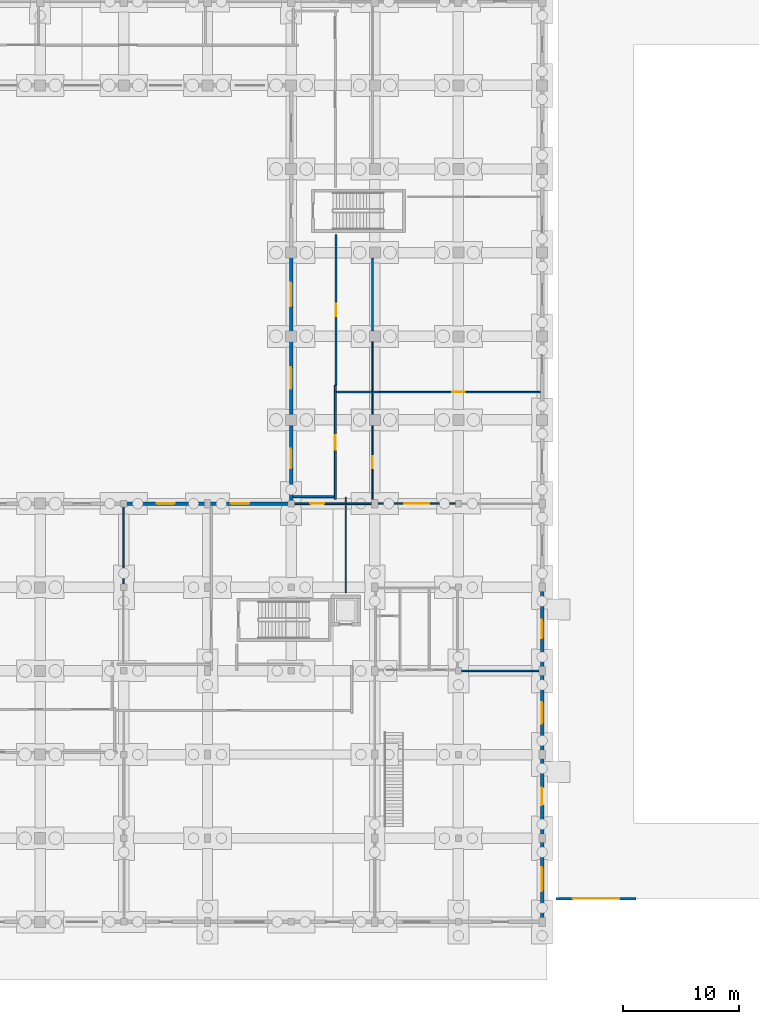
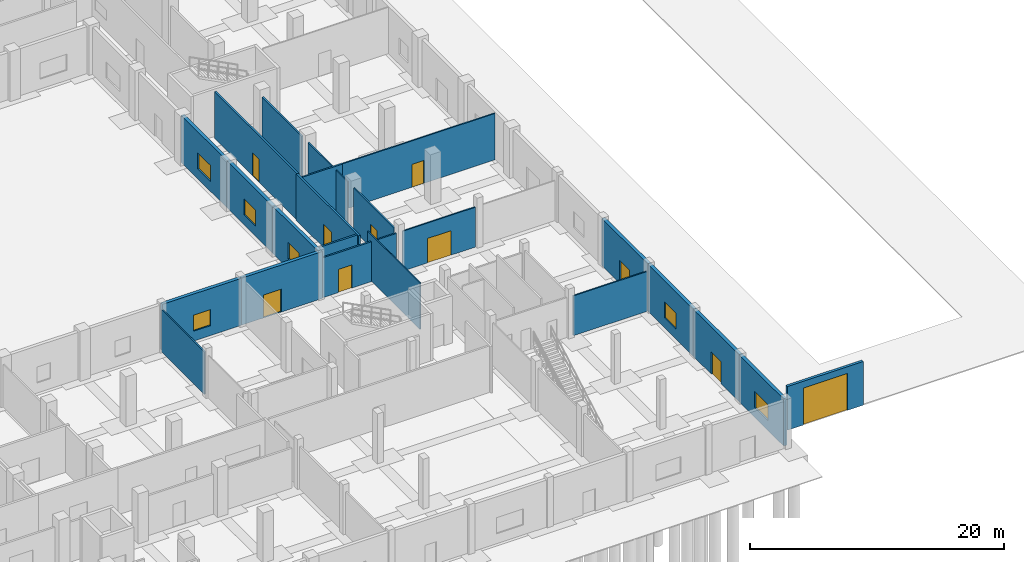
# One storey, part 32 of 48: 25 walls, 10 doors, 6 windows, 16 openings.
"""IFC4 building model written with IfcOpenShell, lengths in metres."""

from ifc_helpers import new_model, si_unit, direction, frame, frame_2d, origin, place, context, subcontext, project, spatial, rectangle, extrude, material, layer, layer_set, type_object, element, fill, save


model = new_model("IFC4")

# Units and contexts
model_context = context("Model", 3, precision=1e-05, world=origin(), true_north=direction((0.0, 1.0)))
body_context = subcontext(model_context, "Body", "Model", "MODEL_VIEW")
ifc_project = project(units=[si_unit("LENGTHUNIT", "METRE"), si_unit("AREAUNIT", "SQUARE_METRE"), si_unit("VOLUMEUNIT", "CUBIC_METRE"), si_unit("PLANEANGLEUNIT", "RADIAN"), si_unit("MASSUNIT", "GRAM", prefix="KILO")], contexts=[model_context])

# Site, building, storey
site_placement = place(None, origin())
site = spatial("IfcSite", under=ifc_project, at=site_placement, CompositionType="ELEMENT")
building_placement = place(site_placement, origin())
building = spatial("IfcBuilding", under=site, at=building_placement, Name="Seraya Terrace Polytechnic", CompositionType="ELEMENT")
storey_placement = place(building_placement, origin())
storey = spatial("IfcBuildingStorey", under=building, at=storey_placement, Name="L00", CompositionType="ELEMENT", Elevation=0.0)

# Wall, opening, door
ifc_material_1 = material(Name="Concrete C40/50", Category="concrete")
ifc_layer_1 = layer(ifc_material_1, 0.300048828125, Name="EW-01")
ifc_layer_set_1 = layer_set([ifc_layer_1], Name="Concrete C40/50")
wall_type_1 = type_object("IfcWallType", Name="EW-01", PredefinedType="SOLIDWALL", material=ifc_layer_set_1)
wall_1_placement = place(storey_placement, frame((165.60009765625, 28.800048828125, 0.0), z_axis=(0.0, 0.0, 1.0), x_axis=(0.0, -1.0, 0.0)))
wall_1 = element("IfcWall", 1, at=wall_1_placement, inside=storey, type_object=wall_type_1, Name="Exterior structural wall EW-01 L00", PredefinedType="SOLIDWALL", context=body_context, shape_type="SweptSolid", body=[
    extrude(rectangle(XDim=7.199951171875, YDim=0.300048828125, at=frame_2d((3.60009765625, 0.0))), origin(), (0.0, 0.0, 1.0), 4.52001953125),
])
opening_1_placement = place(wall_1_placement, frame((2.800048828125, 0.0, 0.0)))
opening_1 = element("IfcOpeningElement", 2, at=opening_1_placement, cuts=wall_1, Name="Opening ED-03", PredefinedType="OPENING", context=body_context, shape_type="SweptSolid", body=[
    extrude(rectangle(XDim=1.60009765625, YDim=2.199951171875, at=frame_2d((0.800048828125, 1.10009765625))), frame((0.0, 0.162109375, 0.0), z_axis=(0.0, -1.0, 0.0), x_axis=(1.0, 0.0, 0.0)), (0.0, 0.0, 1.0), 0.323974609375),
])
ifc_material_2 = material(Name="Anodised aluminium EN AW-6063 T6", Category="aluminium")
door_type_1 = type_object("IfcDoorType", Name="ED-03", OperationType="DOUBLE_DOOR_SINGLE_SWING", PredefinedType="DOOR", material=ifc_material_2)
door_1_placement = place(opening_1_placement, origin())
door_1 = element("IfcDoor", 3, at=door_1_placement, inside=storey, type_object=door_type_1, Name="Door ED-03 DR-EXIT-L00-019 in WL-EXT-L00-07-07", OperationType="DOUBLE_DOOR_SINGLE_SWING", OverallHeight=2.199951171875, OverallWidth=1.60009765625, PredefinedType="DOOR", context=body_context, shape_type="SweptSolid", body=[
    extrude(rectangle(XDim=1.60009765625, YDim=2.199951171875, at=frame_2d((0.800048828125, 1.10009765625))), frame((0.0, 0.02490234375, 0.0), z_axis=(0.0, -1.0, 0.0), x_axis=(1.0, 0.0, 0.0)), (0.0, 0.0, 1.0), 0.050048828125),
])
fill(opening_1, door_1)

# Wall, opening, window
wall_2_placement = place(storey_placement, frame((165.60009765625, 21.60009765625, 0.0), z_axis=(0.0, 0.0, 1.0), x_axis=(0.0, -1.0, 0.0)))
wall_2 = element("IfcWall", 4, at=wall_2_placement, inside=storey, type_object=wall_type_1, Name="Exterior structural wall EW-01 L00", PredefinedType="SOLIDWALL", context=body_context, shape_type="SweptSolid", body=[
    extrude(rectangle(XDim=7.2001953125, YDim=0.300048828125, at=frame_2d((3.60009765625, 0.0))), origin(), (0.0, 0.0, 1.0), 4.52001953125),
])
opening_2_placement = place(wall_2_placement, frame((2.675048828125, 0.0, 0.949951171875)))
opening_2 = element("IfcOpeningElement", 5, at=opening_2_placement, cuts=wall_2, Name="Opening WN-18", PredefinedType="OPENING", context=body_context, shape_type="SweptSolid", body=[
    extrude(rectangle(XDim=1.85009765625, YDim=1.550048828125, at=frame_2d((0.925048828125, 0.77490234375))), frame((0.0, 0.162109375, 0.0), z_axis=(0.0, -1.0, 0.0), x_axis=(1.0, 0.0, 0.0)), (0.0, 0.0, 1.0), 0.323974609375),
])
ifc_material_3 = material(Name="Laminated solar-control Low-E double glazing", Category="glass")
window_type_1 = type_object("IfcWindowType", Name="WN-18", PartitioningType="SINGLE_PANEL", PredefinedType="WINDOW", material=ifc_material_3)
window_1_placement = place(opening_2_placement, origin())
window_1 = element("IfcWindow", 6, at=window_1_placement, inside=storey, type_object=window_type_1, Name="Exterior window WN-18 L00", OverallHeight=1.550048828125, OverallWidth=1.85009765625, PartitioningType="SINGLE_PANEL", PredefinedType="WINDOW", context=body_context, shape_type="SweptSolid", body=[
    extrude(rectangle(XDim=1.85009765625, YDim=1.550048828125, at=frame_2d((0.925048828125, 0.77490234375))), frame((0.0, 0.030029296875, 0.0), z_axis=(0.0, -1.0, 0.0), x_axis=(1.0, 0.0, 0.0)), (0.0, 0.0, 1.0), 0.06005859375),
])
fill(opening_2, window_1)

# Wall, opening, door
wall_3_placement = place(storey_placement, frame((165.60009765625, 14.39990234375, 0.0), z_axis=(0.0, 0.0, 1.0), x_axis=(0.0, -1.0, 0.0)))
wall_3 = element("IfcWall", 7, at=wall_3_placement, inside=storey, type_object=wall_type_1, Name="Exterior structural wall EW-01 L00", PredefinedType="SOLIDWALL", context=body_context, shape_type="SweptSolid", body=[
    extrude(rectangle(XDim=7.199951171875, YDim=0.300048828125, at=frame_2d((3.60009765625, 0.0))), origin(), (0.0, 0.0, 1.0), 4.52001953125),
])
opening_3_placement = place(wall_3_placement, frame((2.85009765625, 0.0, 0.0)))
opening_3 = element("IfcOpeningElement", 8, at=opening_3_placement, cuts=wall_3, Name="Opening ED-04", PredefinedType="OPENING", context=body_context, shape_type="SweptSolid", body=[
    extrude(rectangle(XDim=1.5, YDim=2.14990234375, at=frame_2d((0.75, 1.074951171875))), frame((0.0, 0.162109375, 0.0), z_axis=(0.0, -1.0, 0.0), x_axis=(1.0, 0.0, 0.0)), (0.0, 0.0, 1.0), 0.323974609375),
])
door_type_2 = type_object("IfcDoorType", Name="ED-04", OperationType="DOUBLE_DOOR_SINGLE_SWING", PredefinedType="DOOR", material=ifc_material_2)
door_2_placement = place(opening_3_placement, origin())
door_2 = element("IfcDoor", 9, at=door_2_placement, inside=storey, type_object=door_type_2, Name="Door ED-04 DR-EXIT-L00-020 in WL-EXT-L00-07-09", OperationType="DOUBLE_DOOR_SINGLE_SWING", OverallHeight=2.14990234375, OverallWidth=1.5, PredefinedType="DOOR", context=body_context, shape_type="SweptSolid", body=[
    extrude(rectangle(XDim=1.5, YDim=2.14990234375, at=frame_2d((0.75, 1.074951171875))), frame((0.0, 0.02490234375, 0.0), z_axis=(0.0, -1.0, 0.0), x_axis=(1.0, 0.0, 0.0)), (0.0, 0.0, 1.0), 0.050048828125),
])
fill(opening_3, door_2)

# Wall, opening, window
wall_4_placement = place(storey_placement, frame((165.60009765625, 7.199951171875, 0.0), z_axis=(0.0, 0.0, 1.0), x_axis=(0.0, -1.0, 0.0)))
wall_4 = element("IfcWall", 10, at=wall_4_placement, inside=storey, type_object=wall_type_1, Name="Exterior structural wall EW-01 L00", PredefinedType="SOLIDWALL", context=body_context, shape_type="SweptSolid", body=[
    extrude(rectangle(XDim=7.0478515625, YDim=0.300048828125, at=frame_2d((3.52392578125, 0.0))), origin(), (0.0, 0.0, 1.0), 4.52001953125),
])
opening_4_placement = place(wall_4_placement, frame((2.4990234375, 0.0, 0.949951171875)))
opening_4 = element("IfcOpeningElement", 11, at=opening_4_placement, cuts=wall_4, Name="Opening WN-19", PredefinedType="OPENING", context=body_context, shape_type="SweptSolid", body=[
    extrude(rectangle(XDim=2.050048828125, YDim=1.550048828125, at=frame_2d((1.02490234375, 0.77490234375))), frame((0.0, 0.162109375, 0.0), z_axis=(0.0, -1.0, 0.0), x_axis=(1.0, 0.0, 0.0)), (0.0, 0.0, 1.0), 0.323974609375),
])
window_type_2 = type_object("IfcWindowType", Name="WN-19", PartitioningType="SINGLE_PANEL", PredefinedType="WINDOW", material=ifc_material_3)
window_2_placement = place(opening_4_placement, origin())
window_2 = element("IfcWindow", 12, at=window_2_placement, inside=storey, type_object=window_type_2, Name="Exterior window WN-19 L00", OverallHeight=1.550048828125, OverallWidth=2.050048828125, PartitioningType="SINGLE_PANEL", PredefinedType="WINDOW", context=body_context, shape_type="SweptSolid", body=[
    extrude(rectangle(XDim=2.050048828125, YDim=1.550048828125, at=frame_2d((1.02490234375, 0.77490234375))), frame((0.0, 0.030029296875, 0.0), z_axis=(0.0, -1.0, 0.0), x_axis=(1.0, 0.0, 0.0)), (0.0, 0.0, 1.0), 0.06005859375),
])
fill(opening_4, window_2)

wall_5_placement = place(storey_placement, frame((129.60009765625, 36.0, 0.0), z_axis=(0.0, 0.0, 1.0), x_axis=(1.0, 0.0, 0.0)))
wall_5 = element("IfcWall", 13, at=wall_5_placement, inside=storey, type_object=wall_type_1, Name="Exterior structural wall EW-01 L00", PredefinedType="SOLIDWALL", context=body_context, shape_type="SweptSolid", body=[
    extrude(rectangle(XDim=7.199951171875, YDim=0.300048828125, at=frame_2d((3.60009765625, 0.0))), origin(), (0.0, 0.0, 1.0), 4.52001953125),
])
opening_5_placement = place(wall_5_placement, frame((2.824951171875, 0.0, 0.949951171875)))
opening_5 = element("IfcOpeningElement", 14, at=opening_5_placement, cuts=wall_5, Name="Opening WN-16", PredefinedType="OPENING", context=body_context, shape_type="SweptSolid", body=[
    extrude(rectangle(XDim=1.550048828125, YDim=1.550048828125, at=frame_2d((0.77490234375, 0.77490234375))), frame((0.0, 0.162109375, 0.0), z_axis=(0.0, -1.0, 0.0), x_axis=(1.0, 0.0, 0.0)), (0.0, 0.0, 1.0), 0.323974609375),
])
window_type_3 = type_object("IfcWindowType", Name="WN-16", PartitioningType="SINGLE_PANEL", PredefinedType="WINDOW", material=ifc_material_3)
window_3_placement = place(opening_5_placement, origin())
window_3 = element("IfcWindow", 15, at=window_3_placement, inside=storey, type_object=window_type_3, Name="Exterior window WN-16 L00", OverallHeight=1.550048828125, OverallWidth=1.550048828125, PartitioningType="SINGLE_PANEL", PredefinedType="WINDOW", context=body_context, shape_type="SweptSolid", body=[
    extrude(rectangle(XDim=1.550048828125, YDim=1.550048828125, at=frame_2d((0.77490234375, 0.77490234375))), frame((0.0, 0.030029296875, 0.0), z_axis=(0.0, -1.0, 0.0), x_axis=(1.0, 0.0, 0.0)), (0.0, 0.0, 1.0), 0.06005859375),
])
fill(opening_5, window_3)

# Wall, opening, door
wall_6_placement = place(storey_placement, frame((136.800048828125, 36.0, 0.0), z_axis=(0.0, 0.0, 1.0), x_axis=(1.0, 0.0, 0.0)))
wall_6 = element("IfcWall", 16, at=wall_6_placement, inside=storey, type_object=wall_type_1, Name="Exterior structural wall EW-01 L00", PredefinedType="SOLIDWALL", context=body_context, shape_type="SweptSolid", body=[
    extrude(rectangle(XDim=7.349853515625, YDim=0.300048828125, at=frame_2d((3.6748046875, 0.0))), origin(), (0.0, 0.0, 1.0), 4.52001953125),
])
opening_6_placement = place(wall_6_placement, frame((2.0, 0.0, 0.0)))
opening_6 = element("IfcOpeningElement", 17, at=opening_6_placement, cuts=wall_6, Name="Opening ED-03", PredefinedType="OPENING", context=body_context, shape_type="SweptSolid", body=[
    extrude(rectangle(XDim=1.60009765625, YDim=2.199951171875, at=frame_2d((0.800048828125, 1.10009765625))), frame((0.0, 0.162109375, 0.0), z_axis=(0.0, -1.0, 0.0), x_axis=(1.0, 0.0, 0.0)), (0.0, 0.0, 1.0), 0.323974609375),
])
door_3_placement = place(opening_6_placement, origin())
door_3 = element("IfcDoor", 18, at=door_3_placement, inside=storey, type_object=door_type_1, Name="Door ED-03 DR-STEXIT-ST-10 in WL-EXT-L00-14-04", OperationType="DOUBLE_DOOR_SINGLE_SWING", OverallHeight=2.199951171875, OverallWidth=1.60009765625, PredefinedType="DOOR", context=body_context, shape_type="SweptSolid", body=[
    extrude(rectangle(XDim=1.60009765625, YDim=2.199951171875, at=frame_2d((0.800048828125, 1.10009765625))), frame((0.0, 0.02490234375, 0.0), z_axis=(0.0, -1.0, 0.0), x_axis=(1.0, 0.0, 0.0)), (0.0, 0.0, 1.0), 0.050048828125),
])
fill(opening_6, door_3)

# Wall, opening, window
wall_7_placement = place(storey_placement, frame((144.0, 36.152099609375, 0.0), z_axis=(0.0, 0.0, 1.0), x_axis=(0.0, 1.0, 0.0)))
wall_7 = element("IfcWall", 19, at=wall_7_placement, inside=storey, type_object=wall_type_1, Name="Exterior structural wall EW-01 L00", PredefinedType="SOLIDWALL", context=body_context, shape_type="SweptSolid", body=[
    extrude(rectangle(XDim=7.0478515625, YDim=0.300048828125, at=frame_2d((3.52392578125, 0.0))), origin(), (0.0, 0.0, 1.0), 4.52001953125),
])
opening_7_placement = place(wall_7_placement, frame((2.887939453125, 0.0, 0.949951171875)))
opening_7 = element("IfcOpeningElement", 20, at=opening_7_placement, cuts=wall_7, Name="Opening WN-17", PredefinedType="OPENING", context=body_context, shape_type="SweptSolid", body=[
    extrude(rectangle(XDim=1.699951171875, YDim=1.550048828125, at=frame_2d((0.85009765625, 0.77490234375))), frame((0.0, 0.162109375, 0.0), z_axis=(0.0, -1.0, 0.0), x_axis=(1.0, 0.0, 0.0)), (0.0, 0.0, 1.0), 0.323974609375),
])
window_type_4 = type_object("IfcWindowType", Name="WN-17", PartitioningType="SINGLE_PANEL", PredefinedType="WINDOW", material=ifc_material_3)
window_4_placement = place(opening_7_placement, origin())
window_4 = element("IfcWindow", 21, at=window_4_placement, inside=storey, type_object=window_type_4, Name="Exterior window WN-17 L00", OverallHeight=1.550048828125, OverallWidth=1.699951171875, PartitioningType="SINGLE_PANEL", PredefinedType="WINDOW", context=body_context, shape_type="SweptSolid", body=[
    extrude(rectangle(XDim=1.699951171875, YDim=1.550048828125, at=frame_2d((0.85009765625, 0.77490234375))), frame((0.0, 0.030029296875, 0.0), z_axis=(0.0, -1.0, 0.0), x_axis=(1.0, 0.0, 0.0)), (0.0, 0.0, 1.0), 0.06005859375),
])
fill(opening_7, window_4)

wall_8_placement = place(storey_placement, frame((144.0, 43.199951171875, 0.0), z_axis=(0.0, 0.0, 1.0), x_axis=(0.0, 1.0, 0.0)))
wall_8 = element("IfcWall", 22, at=wall_8_placement, inside=storey, type_object=wall_type_1, Name="Exterior structural wall EW-01 L00", PredefinedType="SOLIDWALL", context=body_context, shape_type="SweptSolid", body=[
    extrude(rectangle(XDim=7.199951171875, YDim=0.300048828125, at=frame_2d((3.60009765625, 0.0))), origin(), (0.0, 0.0, 1.0), 4.52001953125),
])
opening_8_placement = place(wall_8_placement, frame((2.675048828125, 0.0, 0.949951171875)))
opening_8 = element("IfcOpeningElement", 23, at=opening_8_placement, cuts=wall_8, Name="Opening WN-18", PredefinedType="OPENING", context=body_context, shape_type="SweptSolid", body=[
    extrude(rectangle(XDim=1.85009765625, YDim=1.550048828125, at=frame_2d((0.925048828125, 0.77490234375))), frame((0.0, 0.162109375, 0.0), z_axis=(0.0, -1.0, 0.0), x_axis=(1.0, 0.0, 0.0)), (0.0, 0.0, 1.0), 0.323974609375),
])
window_5_placement = place(opening_8_placement, origin())
window_5 = element("IfcWindow", 24, at=window_5_placement, inside=storey, type_object=window_type_1, Name="Exterior window WN-18 L00", OverallHeight=1.550048828125, OverallWidth=1.85009765625, PartitioningType="SINGLE_PANEL", PredefinedType="WINDOW", context=body_context, shape_type="SweptSolid", body=[
    extrude(rectangle(XDim=1.85009765625, YDim=1.550048828125, at=frame_2d((0.925048828125, 0.77490234375))), frame((0.0, 0.030029296875, 0.0), z_axis=(0.0, -1.0, 0.0), x_axis=(1.0, 0.0, 0.0)), (0.0, 0.0, 1.0), 0.06005859375),
])
fill(opening_8, window_5)

wall_9_placement = place(storey_placement, frame((144.0, 50.39990234375, 0.0), z_axis=(0.0, 0.0, 1.0), x_axis=(0.0, 1.0, 0.0)))
wall_9 = element("IfcWall", 25, at=wall_9_placement, inside=storey, type_object=wall_type_1, Name="Exterior structural wall EW-01 L00", PredefinedType="SOLIDWALL", context=body_context, shape_type="SweptSolid", body=[
    extrude(rectangle(XDim=7.2001953125, YDim=0.300048828125, at=frame_2d((3.60009765625, 0.0))), origin(), (0.0, 0.0, 1.0), 4.52001953125),
])
opening_9_placement = place(wall_9_placement, frame((2.574951171875, 0.0, 0.949951171875)))
opening_9 = element("IfcOpeningElement", 26, at=opening_9_placement, cuts=wall_9, Name="Opening WN-19", PredefinedType="OPENING", context=body_context, shape_type="SweptSolid", body=[
    extrude(rectangle(XDim=2.050048828125, YDim=1.550048828125, at=frame_2d((1.02490234375, 0.77490234375))), frame((0.0, 0.162109375, 0.0), z_axis=(0.0, -1.0, 0.0), x_axis=(1.0, 0.0, 0.0)), (0.0, 0.0, 1.0), 0.323974609375),
])
window_6_placement = place(opening_9_placement, origin())
window_6 = element("IfcWindow", 27, at=window_6_placement, inside=storey, type_object=window_type_2, Name="Exterior window WN-19 L00", OverallHeight=1.550048828125, OverallWidth=2.050048828125, PartitioningType="SINGLE_PANEL", PredefinedType="WINDOW", context=body_context, shape_type="SweptSolid", body=[
    extrude(rectangle(XDim=2.050048828125, YDim=1.550048828125, at=frame_2d((1.02490234375, 0.77490234375))), frame((0.0, 0.030029296875, 0.0), z_axis=(0.0, -1.0, 0.0), x_axis=(1.0, 0.0, 0.0)), (0.0, 0.0, 1.0), 0.06005859375),
])
fill(opening_9, window_6)

# Wall, opening, door
ifc_material_4 = material(Name="Autoclaved aerated concrete blockwork", Category="masonry")
ifc_layer_2 = layer(ifc_material_4, 0.169921875, Name="PT-02")
ifc_layer_set_2 = layer_set([ifc_layer_2], Name="Autoclaved aerated concrete blockwork")
wall_type_2 = type_object("IfcWallType", Name="PT-02", PredefinedType="PARTITIONING", material=ifc_layer_set_2)
wall_10_placement = place(storey_placement, frame((147.800048828125, 36.360107421875, 0.0), z_axis=(0.0, 0.0, 1.0), x_axis=(0.0, 1.0, 0.0)))
wall_10 = element("IfcWall", 28, at=wall_10_placement, inside=storey, type_object=wall_type_2, Name="Internal partition PT-02 L00", PredefinedType="PARTITIONING", context=body_context, shape_type="SweptSolid", body=[
    extrude(rectangle(XDim=9.811279296875, YDim=0.169921875, at=frame_2d((4.90576171875, 0.0))), origin(), (0.0, 0.0, 1.0), 4.4599609375),
])
opening_10_placement = place(wall_10_placement, frame((4.265869140625, 0.0, 0.0)))
opening_10 = element("IfcOpeningElement", 29, at=opening_10_placement, cuts=wall_10, Name="Opening ID-08", PredefinedType="OPENING", context=body_context, shape_type="SweptSolid", body=[
    extrude(rectangle(XDim=1.280029296875, YDim=2.219970703125, at=frame_2d((0.64013671875, 1.10986328125))), frame((0.0, 0.096923828125, 0.0), z_axis=(0.0, -1.0, 0.0), x_axis=(1.0, 0.0, 0.0)), (0.0, 0.0, 1.0), 0.19384765625),
])
ifc_material_5 = material(Name="Malaysian dark red meranti hardwood timber D40", Category="wood")
door_type_3 = type_object("IfcDoorType", Name="ID-08", OperationType="NOTDEFINED", PredefinedType="DOOR", material=ifc_material_5)
door_4_placement = place(opening_10_placement, frame((1.280029296875, 0.0, 0.0), z_axis=(0.0, 0.0, 1.0), x_axis=(-1.0, 0.0, 0.0)))
door_4 = element("IfcDoor", 30, at=door_4_placement, inside=storey, type_object=door_type_3, Name="Door ID-08 DR-INT-L00-0021 in WL-INT-L00-0115", OperationType="SINGLE_SWING_RIGHT", OverallHeight=2.219970703125, OverallWidth=1.280029296875, PredefinedType="DOOR", context=body_context, shape_type="SweptSolid", body=[
    extrude(rectangle(XDim=1.280029296875, YDim=2.219970703125, at=frame_2d((0.64013671875, 1.10986328125))), frame((0.0, 0.02490234375, 0.0), z_axis=(0.0, -1.0, 0.0), x_axis=(1.0, 0.0, 0.0)), (0.0, 0.0, 1.0), 0.050048828125),
])
fill(opening_10, door_4)

# Wall
wall_11_placement = place(storey_placement, frame((144.162109375, 36.60009765625, 0.0), z_axis=(0.0, 0.0, 1.0), x_axis=(1.0, 0.0, 0.0)))
element("IfcWall", 31, at=wall_11_placement, inside=storey, type_object=wall_type_2, Name="Internal partition PT-02 L00", PredefinedType="PARTITIONING", context=body_context, shape_type="SweptSolid", body=[
    extrude(rectangle(XDim=3.537841796875, YDim=0.169921875, at=frame_2d((1.76904296875, 0.0))), origin(), (0.0, 0.0, 1.0), 4.4599609375),
])

# Wall, opening, door
wall_12_placement = place(storey_placement, frame((147.8701171875, 46.17138671875, 0.0), z_axis=(0.0, 0.0, 1.0), x_axis=(0.0, 1.0, 0.0)))
wall_12 = element("IfcWall", 32, at=wall_12_placement, inside=storey, type_object=wall_type_2, Name="Internal partition PT-02 L00", PredefinedType="PARTITIONING", context=body_context, shape_type="SweptSolid", body=[
    extrude(rectangle(XDim=12.99853515625, YDim=0.169921875, at=frame_2d((6.499267578125, 0.0))), origin(), (0.0, 0.0, 1.0), 4.4599609375),
])
opening_11_placement = place(wall_12_placement, frame((5.959228515625, 0.0, 0.0)))
opening_11 = element("IfcOpeningElement", 33, at=opening_11_placement, cuts=wall_12, Name="Opening ID-05", PredefinedType="OPENING", context=body_context, shape_type="SweptSolid", body=[
    extrude(rectangle(XDim=1.080078125, YDim=2.199951171875, at=frame_2d((0.5400390625, 1.10009765625))), frame((0.0, 0.096923828125, 0.0), z_axis=(0.0, -1.0, 0.0), x_axis=(1.0, 0.0, 0.0)), (0.0, 0.0, 1.0), 0.19384765625),
])
door_type_4 = type_object("IfcDoorType", Name="ID-05", OperationType="NOTDEFINED", PredefinedType="DOOR", material=ifc_material_5)
door_5_placement = place(opening_11_placement, origin())
door_5 = element("IfcDoor", 34, at=door_5_placement, inside=storey, type_object=door_type_4, Name="Door ID-05 DR-INT-L00-0018 in WL-INT-L00-0117", OperationType="SINGLE_SWING_LEFT", OverallHeight=2.199951171875, OverallWidth=1.080078125, PredefinedType="DOOR", context=body_context, shape_type="SweptSolid", body=[
    extrude(rectangle(XDim=1.080078125, YDim=2.199951171875, at=frame_2d((0.5400390625, 1.10009765625))), frame((0.0, 0.02490234375, 0.0), z_axis=(0.0, -1.0, 0.0), x_axis=(1.0, 0.0, 0.0)), (0.0, 0.0, 1.0), 0.050048828125),
])
fill(opening_11, door_5)

# Wall
ifc_layer_3 = layer(ifc_material_4, 0.14990234375, Name="PT-03")
ifc_layer_set_3 = layer_set([ifc_layer_3], Name="Autoclaved aerated concrete blockwork")
wall_type_3 = type_object("IfcWallType", Name="PT-03", PredefinedType="PARTITIONING", material=ifc_layer_set_3)
wall_13_placement = place(storey_placement, frame((148.764892578125, 36.0, 0.0), z_axis=(0.0, 0.0, 1.0), x_axis=(1.0, 0.0, 0.0)))
element("IfcWall", 35, at=wall_13_placement, inside=storey, type_object=wall_type_3, Name="Internal partition PT-03 L00", PredefinedType="PARTITIONING", context=body_context, shape_type="SweptSolid", body=[
    extrude(rectangle(XDim=2.150146484375, YDim=0.14990234375, at=frame_2d((1.0751953125, 0.0))), origin(), (0.0, 0.0, 1.0), 3.830078125),
])

# Wall, opening, door
wall_14_placement = place(storey_placement, frame((144.162109375, 36.0, 0.0), z_axis=(0.0, 0.0, 1.0), x_axis=(1.0, 0.0, 0.0)))
wall_14 = element("IfcWall", 36, at=wall_14_placement, inside=storey, type_object=wall_type_3, Name="Internal partition PT-03 L00", PredefinedType="PARTITIONING", context=body_context, shape_type="SweptSolid", body=[
    extrude(rectangle(XDim=4.472900390625, YDim=0.14990234375, at=frame_2d((2.236328125, 0.0))), origin(), (0.0, 0.0, 1.0), 3.830078125),
])
opening_12_placement = place(wall_14_placement, frame((1.467529296875, 0.0, 0.0)))
opening_12 = element("IfcOpeningElement", 37, at=opening_12_placement, cuts=wall_14, Name="Opening ID-07", PredefinedType="OPENING", context=body_context, shape_type="SweptSolid", body=[
    extrude(rectangle(XDim=1.219970703125, YDim=2.219970703125, at=frame_2d((0.60986328125, 1.10986328125))), frame((0.0, 0.0869140625, 0.0), z_axis=(0.0, -1.0, 0.0), x_axis=(1.0, 0.0, 0.0)), (0.0, 0.0, 1.0), 0.173828125),
])
door_type_5 = type_object("IfcDoorType", Name="ID-07", OperationType="NOTDEFINED", PredefinedType="DOOR", material=ifc_material_5)
door_6_placement = place(opening_12_placement, origin())
door_6 = element("IfcDoor", 38, at=door_6_placement, inside=storey, type_object=door_type_5, Name="Door ID-07 DR-INT-L00-0052 in WL-INT-L00-0157", OperationType="SINGLE_SWING_LEFT", OverallHeight=2.219970703125, OverallWidth=1.219970703125, PredefinedType="DOOR", context=body_context, shape_type="SweptSolid", body=[
    extrude(rectangle(XDim=1.219970703125, YDim=2.219970703125, at=frame_2d((0.60986328125, 1.10986328125))), frame((0.0, 0.02490234375, 0.0), z_axis=(0.0, -1.0, 0.0), x_axis=(1.0, 0.0, 0.0)), (0.0, 0.0, 1.0), 0.050048828125),
])
fill(opening_12, door_6)

# Walls
wall_15_placement = place(storey_placement, frame((147.89990234375, 45.60009765625, 0.0), z_axis=(0.0, 0.0, 1.0), x_axis=(1.0, 0.0, 0.0)))
element("IfcWall", 39, at=wall_15_placement, inside=storey, type_object=wall_type_3, Name="Internal partition PT-03 L00", PredefinedType="PARTITIONING", context=body_context, shape_type="SweptSolid", body=[
    extrude(rectangle(XDim=3.66015625, YDim=0.14990234375, at=frame_2d((1.830078125, 0.0))), origin(), (0.0, 0.0, 1.0), 4.4599609375),
])
wall_16_placement = place(storey_placement, frame((151.0, 50.885009765625, 0.0), z_axis=(0.0, 0.0, 1.0), x_axis=(0.0, 1.0, 0.0)))
element("IfcWall", 40, at=wall_16_placement, inside=storey, type_object=wall_type_3, Name="Internal partition PT-03 L00", PredefinedType="PARTITIONING", context=body_context, shape_type="SweptSolid", body=[
    extrude(rectangle(XDim=6.22998046875, YDim=0.14990234375, at=frame_2d((3.114990234375, 0.0))), origin(), (0.0, 0.0, 1.0), 4.080078125),
])
ifc_layer_4 = layer(ifc_material_4, 0.1201171875, Name="PT-05")
ifc_layer_set_4 = layer_set([ifc_layer_4], Name="Autoclaved aerated concrete blockwork")
wall_type_4 = type_object("IfcWallType", Name="PT-05", PredefinedType="PARTITIONING", material=ifc_layer_set_4)
wall_17_placement = place(storey_placement, frame((158.68505859375, 21.60009765625, 0.0), z_axis=(0.0, 0.0, 1.0), x_axis=(1.0, 0.0, 0.0)))
element("IfcWall", 41, at=wall_17_placement, inside=storey, type_object=wall_type_4, Name="Internal partition PT-05 L00", PredefinedType="PARTITIONING", context=body_context, shape_type="SweptSolid", body=[
    extrude(rectangle(XDim=6.7529296875, YDim=0.1201171875, at=frame_2d((3.37646484375, 0.0))), origin(), (0.0, 0.0, 1.0), 3.830078125),
])

# Wall, opening, door
wall_18_placement = place(storey_placement, frame((151.485107421875, 36.0, 0.0), z_axis=(0.0, 0.0, 1.0), x_axis=(1.0, 0.0, 0.0)))
wall_18 = element("IfcWall", 42, at=wall_18_placement, inside=storey, type_object=wall_type_4, Name="Internal partition PT-05 L00", PredefinedType="PARTITIONING", context=body_context, shape_type="SweptSolid", body=[
    extrude(rectangle(XDim=6.6298828125, YDim=0.1201171875, at=frame_2d((3.31494140625, 0.0))), origin(), (0.0, 0.0, 1.0), 3.830078125),
])
opening_13_placement = place(wall_18_placement, frame((2.235107421875, 0.0, 0.0)))
opening_13 = element("IfcOpeningElement", 43, at=opening_13_placement, cuts=wall_18, Name="Opening ID-18", PredefinedType="OPENING", context=body_context, shape_type="SweptSolid", body=[
    extrude(rectangle(XDim=2.159912109375, YDim=2.35009765625, at=frame_2d((1.080078125, 1.175048828125))), frame((0.0, 0.072021484375, 0.0), z_axis=(0.0, -1.0, 0.0), x_axis=(1.0, 0.0, 0.0)), (0.0, 0.0, 1.0), 0.14404296875),
])
door_type_6 = type_object("IfcDoorType", Name="ID-18", OperationType="DOUBLE_DOOR_SINGLE_SWING", PredefinedType="DOOR", material=ifc_material_5)
door_7_placement = place(opening_13_placement, frame((2.159912109375, 0.0, 0.0), z_axis=(0.0, 0.0, 1.0), x_axis=(-1.0, 0.0, 0.0)))
door_7 = element("IfcDoor", 44, at=door_7_placement, inside=storey, type_object=door_type_6, Name="Door ID-18 DR-INT-L00-0063 in WL-INT-L00-0155", OperationType="DOUBLE_DOOR_SINGLE_SWING", OverallHeight=2.35009765625, OverallWidth=2.159912109375, PredefinedType="DOOR", context=body_context, shape_type="SweptSolid", body=[
    extrude(rectangle(XDim=2.159912109375, YDim=2.35009765625, at=frame_2d((1.080078125, 1.175048828125))), frame((0.0, 0.02490234375, 0.0), z_axis=(0.0, -1.0, 0.0), x_axis=(1.0, 0.0, 0.0)), (0.0, 0.0, 1.0), 0.050048828125),
])
fill(opening_13, door_7)

# Wall
wall_19_placement = place(storey_placement, frame((129.563232421875, 29.0849609375, 0.0), z_axis=(0.0, 0.0, 1.0), x_axis=(0.0, 1.0, 0.0)))
element("IfcWall", 45, at=wall_19_placement, inside=storey, type_object=wall_type_4, Name="Internal partition PT-05 L00", PredefinedType="PARTITIONING", context=body_context, shape_type="SweptSolid", body=[
    extrude(rectangle(XDim=6.7529296875, YDim=0.1201171875, at=frame_2d((3.37646484375, 0.0))), origin(), (0.0, 0.0, 1.0), 4.080078125),
])

# Wall, opening, door
wall_20_placement = place(storey_placement, frame((151.0, 36.385009765625, 0.0), z_axis=(0.0, 0.0, 1.0), x_axis=(0.0, 1.0, 0.0)))
wall_20 = element("IfcWall", 46, at=wall_20_placement, inside=storey, type_object=wall_type_4, Name="Internal partition PT-05 L00", PredefinedType="PARTITIONING", context=body_context, shape_type="SweptSolid", body=[
    extrude(rectangle(XDim=6.330078125, YDim=0.1201171875, at=frame_2d((3.1650390625, 0.0))), origin(), (0.0, 0.0, 1.0), 4.080078125),
])
opening_14_placement = place(wall_20_placement, frame((2.64501953125, 0.0, 0.0)))
opening_14 = element("IfcOpeningElement", 47, at=opening_14_placement, cuts=wall_20, Name="Opening ID-04", PredefinedType="OPENING", context=body_context, shape_type="SweptSolid", body=[
    extrude(rectangle(XDim=1.0400390625, YDim=2.179931640625, at=frame_2d((0.52001953125, 1.08984375))), frame((0.0, 0.072021484375, 0.0), z_axis=(0.0, -1.0, 0.0), x_axis=(1.0, 0.0, 0.0)), (0.0, 0.0, 1.0), 0.14404296875),
])
door_type_7 = type_object("IfcDoorType", Name="ID-04", OperationType="NOTDEFINED", PredefinedType="DOOR", material=ifc_material_5)
door_8_placement = place(opening_14_placement, frame((1.0400390625, 0.0, 0.0), z_axis=(0.0, 0.0, 1.0), x_axis=(-1.0, 0.0, 0.0)))
door_8 = element("IfcDoor", 48, at=door_8_placement, inside=storey, type_object=door_type_7, Name="Door ID-04 DR-INT-L00-0033 in WL-INT-L00-0215", OperationType="SINGLE_SWING_RIGHT", OverallHeight=2.179931640625, OverallWidth=1.0400390625, PredefinedType="DOOR", context=body_context, shape_type="SweptSolid", body=[
    extrude(rectangle(XDim=1.0400390625, YDim=2.179931640625, at=frame_2d((0.52001953125, 1.08984375))), frame((0.0, 0.02490234375, 0.0), z_axis=(0.0, -1.0, 0.0), x_axis=(1.0, 0.0, 0.0)), (0.0, 0.0, 1.0), 0.050048828125),
])
fill(opening_14, door_8)

# Wall
wall_21_placement = place(storey_placement, frame((151.0, 45.68994140625, 0.0), z_axis=(0.0, 0.0, 1.0), x_axis=(0.0, 1.0, 0.0)))
element("IfcWall", 49, at=wall_21_placement, inside=storey, type_object=wall_type_4, Name="Internal partition PT-05 L00", PredefinedType="PARTITIONING", context=body_context, shape_type="SweptSolid", body=[
    extrude(rectangle(XDim=4.22509765625, YDim=0.1201171875, at=frame_2d((2.112548828125, 0.0))), origin(), (0.0, 0.0, 1.0), 4.080078125),
])

# Wall, opening, door
wall_22_placement = place(storey_placement, frame((151.56005859375, 45.60009765625, 0.0), z_axis=(0.0, 0.0, 1.0), x_axis=(1.0, 0.0, 0.0)))
wall_22 = element("IfcWall", 50, at=wall_22_placement, inside=storey, type_object=wall_type_4, Name="Internal partition PT-05 L00", PredefinedType="PARTITIONING", context=body_context, shape_type="SweptSolid", body=[
    extrude(rectangle(XDim=13.8779296875, YDim=0.1201171875, at=frame_2d((6.93896484375, 0.0))), origin(), (0.0, 0.0, 1.0), 4.4599609375),
])
opening_15_placement = place(wall_22_placement, frame((6.31494140625, 0.0, 0.0)))
opening_15 = element("IfcOpeningElement", 51, at=opening_15_placement, cuts=wall_22, Name="Opening ID-05", PredefinedType="OPENING", context=body_context, shape_type="SweptSolid", body=[
    extrude(rectangle(XDim=1.080078125, YDim=2.199951171875, at=frame_2d((0.5400390625, 1.10009765625))), frame((0.0, 0.072021484375, 0.0), z_axis=(0.0, -1.0, 0.0), x_axis=(1.0, 0.0, 0.0)), (0.0, 0.0, 1.0), 0.14404296875),
])
door_9_placement = place(opening_15_placement, origin())
door_9 = element("IfcDoor", 52, at=door_9_placement, inside=storey, type_object=door_type_4, Name="Door ID-05 DR-INT-L00-0066 in WL-INT-L00-0224", OperationType="SINGLE_SWING_LEFT", OverallHeight=2.199951171875, OverallWidth=1.080078125, PredefinedType="DOOR", context=body_context, shape_type="SweptSolid", body=[
    extrude(rectangle(XDim=1.080078125, YDim=2.199951171875, at=frame_2d((0.5400390625, 1.10009765625))), frame((0.0, 0.02490234375, 0.0), z_axis=(0.0, -1.0, 0.0), x_axis=(1.0, 0.0, 0.0)), (0.0, 0.0, 1.0), 0.050048828125),
])
fill(opening_15, door_9)

# Walls
ifc_layer_5 = layer(ifc_material_4, 0.10009765625, Name="PT-06")
ifc_layer_set_5 = layer_set([ifc_layer_5], Name="Autoclaved aerated concrete blockwork")
wall_type_5 = type_object("IfcWallType", Name="PT-06", PredefinedType="PARTITIONING", material=ifc_layer_set_5)
wall_23_placement = place(storey_placement, frame((148.699951171875, 28.330078125, 0.0), z_axis=(0.0, 0.0, 1.0), x_axis=(0.0, 1.0, 0.0)))
element("IfcWall", 53, at=wall_23_placement, inside=storey, type_object=wall_type_5, Name="Internal partition PT-06 L00", PredefinedType="PARTITIONING", context=body_context, shape_type="SweptSolid", body=[
    extrude(rectangle(XDim=8.22412109375, YDim=0.10009765625, at=frame_2d((4.112060546875, 0.0))), origin(), (0.0, 0.0, 1.0), 4.4599609375),
])
wall_24_placement = place(storey_placement, frame((151.0, 43.68505859375, 0.0), z_axis=(0.0, 0.0, 1.0), x_axis=(0.0, 1.0, 0.0)))
element("IfcWall", 54, at=wall_24_placement, inside=storey, type_object=wall_type_5, Name="Internal partition PT-06 L00", PredefinedType="PARTITIONING", context=body_context, shape_type="SweptSolid", body=[
    extrude(rectangle(XDim=1.824951171875, YDim=0.10009765625, at=frame_2d((0.91259765625, 0.0))), origin(), (0.0, 0.0, 1.0), 4.080078125),
])

# Wall, opening, door
ifc_material_6 = material(Name="Precast concrete C40/50", Category="concrete")
ifc_layer_6 = layer(ifc_material_6, 0.239990234375, Name="PT-CP1")
ifc_layer_set_6 = layer_set([ifc_layer_6], Name="Precast concrete C40/50")
wall_type_6 = type_object("IfcWallType", Name="PT-CP1", PredefinedType="PARTITIONING", material=ifc_layer_set_6)
wall_25_placement = place(storey_placement, frame((166.800048828125, 2.0, 0.0), z_axis=(0.0, 0.0, 1.0), x_axis=(1.0, 0.0, 0.0)))
wall_25 = element("IfcWall", 55, at=wall_25_placement, inside=storey, type_object=wall_type_6, Name="Surface car park vehicle entry portal wall L00", PredefinedType="PARTITIONING", context=body_context, shape_type="SweptSolid", body=[
    extrude(rectangle(XDim=6.89990234375, YDim=0.239990234375, at=frame_2d((3.449951171875, 0.0))), origin(), (0.0, 0.0, 1.0), 4.199951171875),
])
opening_16_placement = place(wall_25_placement, frame((1.449951171875, 0.0, 0.0)))
opening_16 = element("IfcOpeningElement", 56, at=opening_16_placement, cuts=wall_25, Name="Opening GD-01", PredefinedType="OPENING", context=body_context, shape_type="SweptSolid", body=[
    extrude(rectangle(XDim=4.0, YDim=3.550048828125, at=frame_2d((2.0, 1.77490234375))), frame((0.0, 0.1318359375, 0.0), z_axis=(0.0, -1.0, 0.0), x_axis=(1.0, 0.0, 0.0)), (0.0, 0.0, 1.0), 0.263916015625),
])
ifc_material_7 = material(Name="Steel S355J2", Category="steel")
door_type_8 = type_object("IfcDoorType", Name="GD-01", OperationType="ROLLINGUP", PredefinedType="GATE", material=ifc_material_7)
door_10_placement = place(opening_16_placement, frame((4.0, 0.0, 0.0), z_axis=(0.0, 0.0, 1.0), x_axis=(-1.0, 0.0, 0.0)))
door_10 = element("IfcDoor", 57, at=door_10_placement, inside=storey, type_object=door_type_8, Name="Door GD-01 GT-CARPARK-ENTRY-01 in WL-CPK-ENTRY-L00", OperationType="ROLLINGUP", OverallHeight=3.550048828125, OverallWidth=4.0, PredefinedType="GATE", context=body_context, shape_type="SweptSolid", body=[
    extrude(rectangle(XDim=4.0, YDim=3.550048828125, at=frame_2d((2.0, 1.77490234375))), frame((0.0, 0.02490234375, 0.0), z_axis=(0.0, -1.0, 0.0), x_axis=(1.0, 0.0, 0.0)), (0.0, 0.0, 1.0), 0.050048828125),
])
fill(opening_16, door_10)

save(model, "model.ifc")
